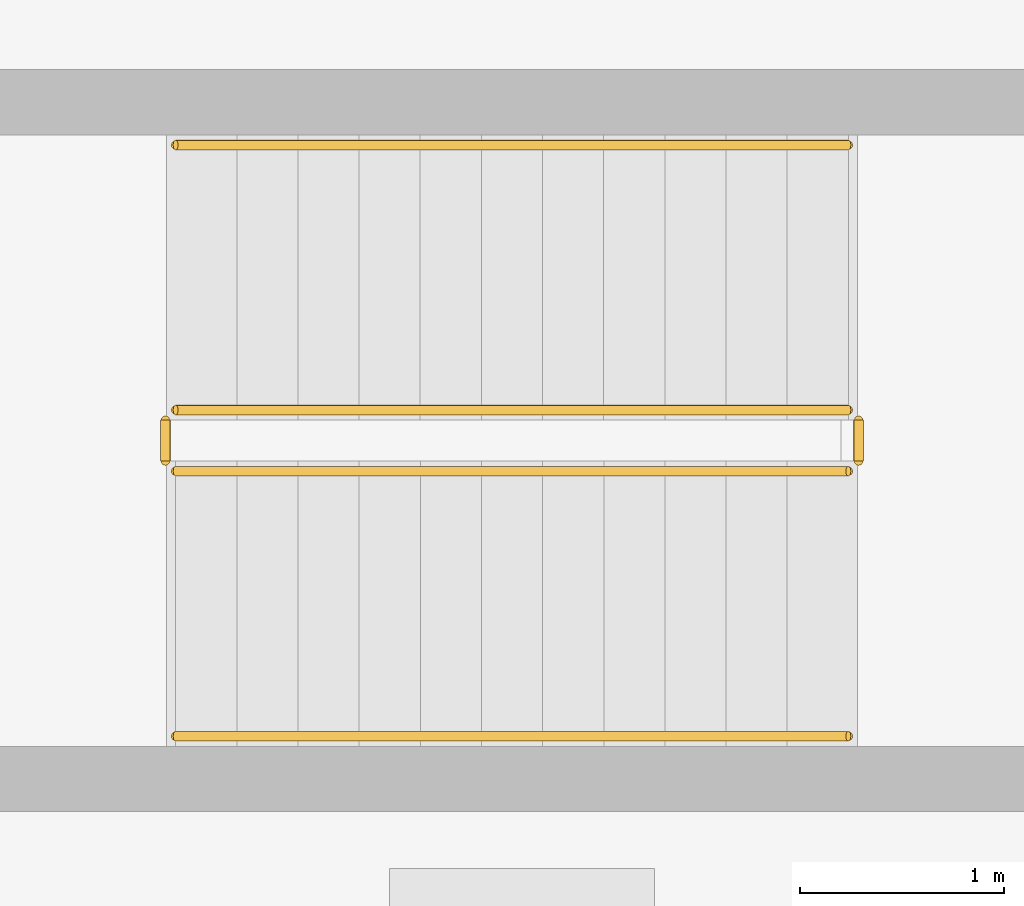
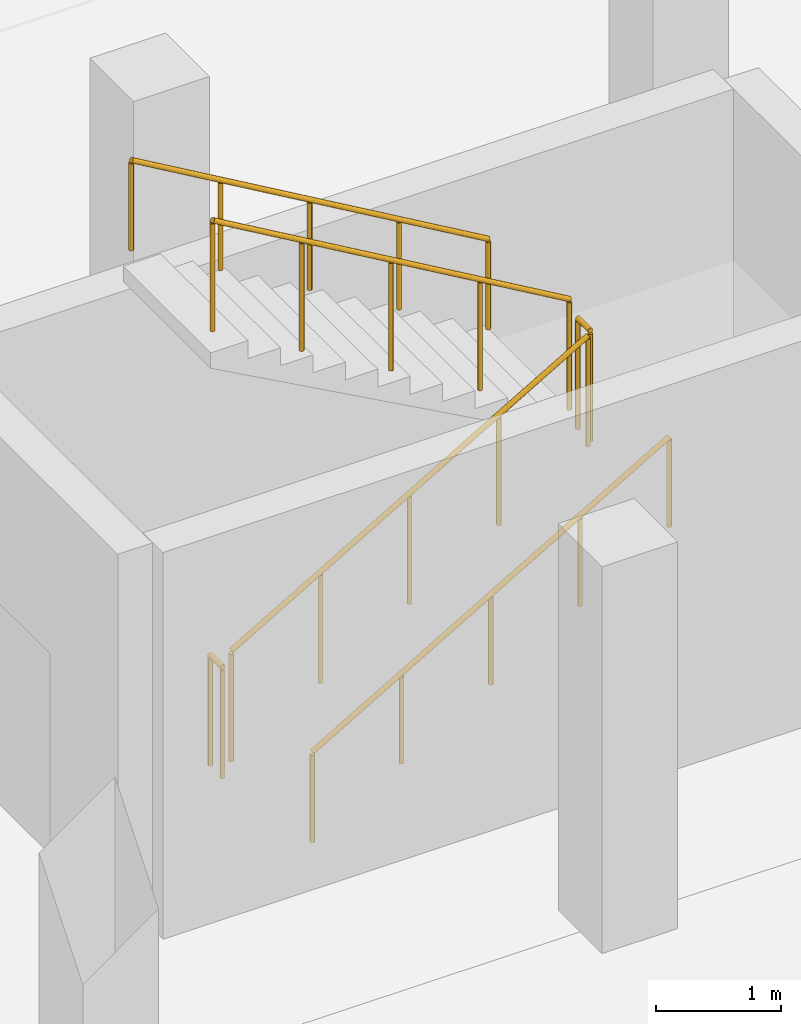
# One storey, part 13 of 17: 6 railings.
"""IFC4 building model written with IfcOpenShell, lengths in metres."""

import ifcopenshell
import ifcopenshell.guid

model = None  # the IFC model being written
_history = None  # IfcOwnerHistory: only IFC2X3 demands one
_inside = {}  # id of a spatial element -> (the spatial element, [elements in it])
_under = {}  # id of a project, library or spatial element -> (it, [spatial elements below it])
_declared = {}  # id of a project -> (the project, [libraries it declares])
_typed = {}  # id of a type object -> (the type object, [elements of that type])
_made_of = {}  # id of a material, layer set ... -> (it, [elements and type objects made of it])


def new_model(schema):
    """Start an empty IFC model of exactly this schema.

    Asked for "IFC4X3", IfcOpenShell would pick the latest addendum, in which some entities
    have other attributes; the version numbers below select the first issue.
    IFC2X3 requires an IfcOwnerHistory on every rooted entity: one is made here for all.
    """
    global model, _history
    if schema == "IFC4X3":
        model = ifcopenshell.file(schema_version=(4, 3, 0, 0))
    else:
        model = ifcopenshell.file(schema=schema)
    _inside.clear()
    _under.clear()
    _declared.clear()
    _typed.clear()
    _made_of.clear()
    _history = None
    if model.schema == "IFC2X3":
        org = make("IfcOrganization", Name="unknown")
        user = make(
            "IfcPersonAndOrganization",
            ThePerson=make("IfcPerson", FamilyName="unknown"),
            TheOrganization=org,
        )
        app = make(
            "IfcApplication",
            ApplicationDeveloper=org,
            Version="unknown",
            ApplicationFullName="unknown",
            ApplicationIdentifier="unknown",
        )
        _history = make(
            "IfcOwnerHistory",
            OwningUser=user,
            OwningApplication=app,
            ChangeAction="ADDED",
            CreationDate=0,
        )
    return model


def make(cls, **values):
    """One entity of the class cls with the attributes given. An attribute that is None is left unset."""
    return model.create_entity(
        cls, **{name: value for name, value in values.items() if value is not None}
    )


def rooted(cls, **values):
    """An entity with a GlobalId (a new one), such as an element, a storey or a relation."""
    return make(cls, GlobalId=ifcopenshell.guid.new(), OwnerHistory=_history, **values)


def si_unit(unit_type, name, prefix=None):
    """IfcSIUnit, for example si_unit("LENGTHUNIT", "METRE", prefix="MILLI")."""
    return make("IfcSIUnit", UnitType=unit_type, Prefix=prefix, Name=name)


def assignment(units):
    """IfcUnitAssignment: the units of a project."""
    return None if units is None else make("IfcUnitAssignment", Units=units)


def point(xyz):
    """IfcCartesianPoint."""
    return None if xyz is None else make("IfcCartesianPoint", Coordinates=xyz)


def direction(xyz):
    """IfcDirection."""
    return None if xyz is None else make("IfcDirection", DirectionRatios=xyz)


def frame(location, z_axis=None, x_axis=None):
    """IfcAxis2Placement3D, a coordinate frame: its origin and axes. An axis left out is left unset."""
    return make(
        "IfcAxis2Placement3D",
        Location=point(location),
        Axis=direction(z_axis),
        RefDirection=direction(x_axis),
    )


def frame_2d(location, x_axis=None):
    """IfcAxis2Placement2D, a coordinate frame in the plane: its origin and x axis."""
    return make(
        "IfcAxis2Placement2D", Location=point(location), RefDirection=direction(x_axis)
    )


def origin():
    """The frame at (0, 0, 0) with its axes left unset."""
    return frame((0.0, 0.0, 0.0))


def origin_2d():
    """The frame at (0, 0) in the plane with its x axis left unset."""
    return frame_2d((0.0, 0.0))


def place(relative_to, where):
    """IfcLocalPlacement: puts the frame where relative to a parent placement (None: the world)."""
    return make(
        "IfcLocalPlacement", PlacementRelTo=relative_to, RelativePlacement=where
    )


def context(
    kind, dimensions, precision=None, world=None, true_north=None, identifier=None
):
    """IfcGeometricRepresentationContext, for example the 3D "Model" context."""
    return make(
        "IfcGeometricRepresentationContext",
        ContextIdentifier=identifier,
        ContextType=kind,
        CoordinateSpaceDimension=dimensions,
        Precision=precision,
        WorldCoordinateSystem=world,
        TrueNorth=true_north,
    )


def subcontext(parent, identifier, kind, view, scale=None):
    """IfcGeometricRepresentationSubContext, for example "Body" below "Model"."""
    return make(
        "IfcGeometricRepresentationSubContext",
        ContextIdentifier=identifier,
        ContextType=kind,
        ParentContext=parent,
        TargetScale=scale,
        TargetView=view,
    )


def project(units=None, contexts=None):
    """IfcProject with its units and contexts."""
    return rooted(
        "IfcProject",
        Name="project",
        RepresentationContexts=contexts,
        UnitsInContext=assignment(units),
    )


def spatial(cls, under=None, at=None, **own):
    """A site, building, storey or space (cls), placed at a placement, below another one or the project."""
    s = rooted(cls, ObjectPlacement=at, **own)
    if under is not None:
        _under.setdefault(under.id(), (under, []))[1].append(s)
    return s


def profile(cls, at=None, kind="AREA", **sizes):
    """A parametric profile (cls). Its sizes go by their IFC names, for example OverallWidth=200.0."""
    return make(cls, ProfileType=kind, Position=at, **sizes)


def circle(**sizes):
    """IfcCircleProfileDef."""
    return profile("IfcCircleProfileDef", **sizes)


def extrude(swept, where, along, depth):
    """IfcExtrudedAreaSolid: the profile swept, set in the frame where, extruded along a direction by depth."""
    return make(
        "IfcExtrudedAreaSolid",
        SweptArea=swept,
        Position=where,
        ExtrudedDirection=direction(along),
        Depth=depth,
    )


def shape(context_of_items, identifier, shape_type, items):
    """IfcShapeRepresentation: the items that make up one representation, for example the "Body"."""
    return make(
        "IfcShapeRepresentation",
        ContextOfItems=context_of_items,
        RepresentationIdentifier=identifier,
        RepresentationType=shape_type,
        Items=items,
    )


def material(Name=None, Category=None):
    """IfcMaterial."""
    return make("IfcMaterial", Name=Name, Category=Category)


def made_of(thing, what):
    """Note that an element or type object is made of a material, layer set ...; save() writes the relation."""
    if what is not None:
        _made_of.setdefault(what.id(), (what, []))[1].append(thing)
    return thing


def type_object(cls, material=None, **own):
    """A type object (cls), such as IfcWallType, which elements share."""
    return made_of(rooted(cls, **own), material)


def element(
    cls,
    number,
    at=None,
    inside=None,
    cuts=None,
    type_object=None,
    material=None,
    context=None,
    identifier="Body",
    shape_type=None,
    held_by="IfcProductDefinitionShape",
    body=None,
    shapes=None,
    **own,
):
    """One element of the class cls, such as IfcWall. Its Tag is "e" and its number.

    at: its placement. inside: the storey or other place that contains it. cuts: it is an
    opening in that element (IfcRelVoidsElement). A single representation is given by context,
    identifier, shape_type and body (its items); several are given by shapes. held_by: the class
    of the entity that holds the representations. save() writes the other relations.
    """
    e = rooted(cls, Tag="e%d" % number, ObjectPlacement=at, **own)
    if body is not None:
        shapes = [shape(context, identifier, shape_type, body)]
    if shapes is not None:
        e.Representation = make(held_by, Representations=shapes)
    if inside is not None:
        _inside.setdefault(inside.id(), (inside, []))[1].append(e)
    if cuts is not None:
        rooted(
            "IfcRelVoidsElement", RelatingBuildingElement=cuts, RelatedOpeningElement=e
        )
    if type_object is not None:
        _typed.setdefault(type_object.id(), (type_object, []))[1].append(e)
    return made_of(e, material)


def aggregate(whole, parts):
    """IfcRelAggregates: a whole, such as a stair, and the parts it consists of."""
    return rooted("IfcRelAggregates", RelatingObject=whole, RelatedObjects=parts)


def save(model, path):
    """Write the relations noted so far, then the file.

    IfcRelAggregates (storeys below a building ...), IfcRelContainedInSpatialStructure (elements
    in a storey), IfcRelDefinesByType, IfcRelAssociatesMaterial and IfcRelDeclares: one each for
    every whole, place, type object, material and project.
    """
    for whole, parts in _under.values():
        aggregate(whole, parts)
    for where, things in _inside.values():
        rooted(
            "IfcRelContainedInSpatialStructure",
            RelatedElements=things,
            RelatingStructure=where,
        )
    for kind, things in _typed.values():
        rooted("IfcRelDefinesByType", RelatedObjects=things, RelatingType=kind)
    for what, things in _made_of.values():
        rooted("IfcRelAssociatesMaterial", RelatedObjects=things, RelatingMaterial=what)
    for by, libraries in _declared.values():
        rooted("IfcRelDeclares", RelatingContext=by, RelatedDefinitions=libraries)
    model.write(path)


model = new_model("IFC4")

# Units and contexts
model_context = context("Model", 3, precision=1e-05, world=origin(), true_north=direction((0.0, 1.0)))
body_context = subcontext(model_context, "Body", "Model", "MODEL_VIEW")
ifc_project = project(units=[si_unit("LENGTHUNIT", "METRE"), si_unit("AREAUNIT", "SQUARE_METRE"), si_unit("VOLUMEUNIT", "CUBIC_METRE"), si_unit("PLANEANGLEUNIT", "RADIAN"), si_unit("MASSUNIT", "GRAM", prefix="KILO")], contexts=[model_context])

# Site, building, storey
site_placement = place(None, origin())
site = spatial("IfcSite", under=ifc_project, at=site_placement, CompositionType="ELEMENT")
building_placement = place(site_placement, origin())
building = spatial("IfcBuilding", under=site, at=building_placement, Name="Mawjan Specialist Oncology Clinic", CompositionType="ELEMENT")
storey_placement = place(building_placement, frame((0.0, 0.0, -4.199951171875)))
storey = spatial("IfcBuildingStorey", under=building, at=storey_placement, Name="B01", CompositionType="ELEMENT", Elevation=-4.199951171875)

# Railings
ifc_material_1 = material(Name="Powder-coated steel stair guard with vertical infill pickets", Category="steel")
railing_type_1 = type_object("IfcRailingType", Name="GR-110", PredefinedType="GUARDRAIL", material=ifc_material_1)
railing_1_placement = place(storey_placement, frame((87.10009765625, 86.550048828125, 0.175048828125)))
element("IfcRailing", 1, at=railing_1_placement, inside=storey, type_object=railing_type_1, Name="B01 ST-04 stair guard 1", PredefinedType="GUARDRAIL", context=body_context, shape_type="SweptSolid", body=[
    extrude(circle(Radius=0.02392578125, at=origin_2d()), frame((0.0, 0.0, 1.076171875), z_axis=(0.863788172461, 0.0, 0.503855131081), x_axis=(0.0, 1.0, 0.0)), (0.0, 0.0, 1.0), 3.820068359375),
    extrude(circle(Radius=0.02099609375, at=origin_2d()), origin(), (0.0, 0.0, 1.0), 1.052001953125),
    extrude(circle(Radius=0.02099609375, at=origin_2d()), frame((0.824951171875, 0.0, 0.481201171875)), (0.0, 0.0, 1.0), 1.052001953125),
    extrude(circle(Radius=0.02099609375, at=origin_2d()), frame((1.64990234375, 0.0, 0.96240234375)), (0.0, 0.0, 1.0), 1.052001953125),
    extrude(circle(Radius=0.02099609375, at=origin_2d()), frame((2.474853515625, 0.0, 1.443603515625)), (0.0, 0.0, 1.0), 1.052001953125),
    extrude(circle(Radius=0.02099609375, at=origin_2d()), frame((3.2998046875, 0.0, 1.9248046875)), (0.0, 0.0, 1.0), 1.052001953125),
])
railing_2_placement = place(storey_placement, frame((90.449951171875, 86.60009765625, 2.099853515625)))
element("IfcRailing", 2, at=railing_2_placement, inside=storey, type_object=railing_type_1, Name="B01 ST-04 stair guard 2", PredefinedType="GUARDRAIL", context=body_context, shape_type="SweptSolid", body=[
    extrude(circle(Radius=0.02392578125, at=origin_2d()), frame((0.0, 0.0, 1.076171875), z_axis=(0.0, 1.0, 0.0), x_axis=(-1.0, 0.0, 0.0)), (0.0, 0.0, 1.0), 0.199951171875),
    extrude(circle(Radius=0.02099609375, at=origin_2d()), origin(), (0.0, 0.0, 1.0), 1.052001953125),
    extrude(circle(Radius=0.02099609375, at=origin_2d()), frame((0.0, 0.199951171875, 0.0)), (0.0, 0.0, 1.0), 1.052001953125),
])
railing_3_placement = place(storey_placement, frame((90.39990234375, 86.85009765625, 2.27490234375)))
element("IfcRailing", 3, at=railing_3_placement, inside=storey, type_object=railing_type_1, Name="B01 ST-04 stair guard 3", PredefinedType="GUARDRAIL", context=body_context, shape_type="SweptSolid", body=[
    extrude(circle(Radius=0.02392578125, at=origin_2d()), frame((0.0, 0.0, 1.076171875), z_axis=(-0.863760357493, 0.0, 0.503902812876), x_axis=(0.0, -1.0, 0.0)), (0.0, 0.0, 1.0), 3.8203125),
    extrude(circle(Radius=0.02099609375, at=origin_2d()), origin(), (0.0, 0.0, 1.0), 1.052001953125),
    extrude(circle(Radius=0.02099609375, at=origin_2d()), frame((-0.824951171875, 0.0, 0.481201171875)), (0.0, 0.0, 1.0), 1.052001953125),
    extrude(circle(Radius=0.02099609375, at=origin_2d()), frame((-1.64990234375, 0.0, 0.96240234375)), (0.0, 0.0, 1.0), 1.052001953125),
    extrude(circle(Radius=0.02099609375, at=origin_2d()), frame((-2.474853515625, 0.0, 1.44384765625)), (0.0, 0.0, 1.0), 1.052001953125),
    extrude(circle(Radius=0.02099609375, at=origin_2d()), frame((-3.2998046875, 0.0, 1.925048828125)), (0.0, 0.0, 1.0), 1.052001953125),
])
railing_4_placement = place(storey_placement, frame((87.050048828125, 86.60009765625, 0.0)))
element("IfcRailing", 4, at=railing_4_placement, inside=storey, type_object=railing_type_1, Name="B01 ST-04 stair guard 4", PredefinedType="GUARDRAIL", context=body_context, shape_type="SweptSolid", body=[
    extrude(circle(Radius=0.02392578125, at=origin_2d()), frame((0.0, 0.0, 1.076171875), z_axis=(0.0, 1.0, 0.0), x_axis=(-1.0, 0.0, 0.0)), (0.0, 0.0, 1.0), 0.199951171875),
    extrude(circle(Radius=0.02099609375, at=origin_2d()), origin(), (0.0, 0.0, 1.0), 1.052001953125),
    extrude(circle(Radius=0.02099609375, at=origin_2d()), frame((0.0, 0.199951171875, 0.0)), (0.0, 0.0, 1.0), 1.052001953125),
])
ifc_material_2 = material(Name="Brushed stainless-steel tubular handrail", Category="steel")
railing_type_2 = type_object("IfcRailingType", Name="HR-090", PredefinedType="HANDRAIL", material=ifc_material_2)
railing_5_placement = place(storey_placement, frame((87.10009765625, 85.25, 0.175048828125)))
element("IfcRailing", 5, at=railing_5_placement, inside=storey, type_object=railing_type_2, Name="B01 ST-04 stair handrail 1", PredefinedType="HANDRAIL", context=body_context, shape_type="SweptSolid", body=[
    extrude(circle(Radius=0.02392578125, at=origin_2d()), frame((0.0, 0.0, 0.8759765625), z_axis=(0.863788172461, 0.0, 0.503855131081), x_axis=(0.0, 1.0, 0.0)), (0.0, 0.0, 1.0), 3.820068359375),
    extrude(circle(Radius=0.02099609375, at=origin_2d()), origin(), (0.0, 0.0, 1.0), 0.851806640625),
    extrude(circle(Radius=0.02099609375, at=origin_2d()), frame((0.824951171875, 0.0, 0.481201171875)), (0.0, 0.0, 1.0), 0.851806640625),
    extrude(circle(Radius=0.02099609375, at=origin_2d()), frame((1.64990234375, 0.0, 0.96240234375)), (0.0, 0.0, 1.0), 0.851806640625),
    extrude(circle(Radius=0.02099609375, at=origin_2d()), frame((2.474853515625, 0.0, 1.443603515625)), (0.0, 0.0, 1.0), 0.851806640625),
    extrude(circle(Radius=0.02099609375, at=origin_2d()), frame((3.2998046875, 0.0, 1.9248046875)), (0.0, 0.0, 1.0), 0.851806640625),
])
railing_6_placement = place(storey_placement, frame((90.39990234375, 88.14990234375, 2.27490234375)))
element("IfcRailing", 6, at=railing_6_placement, inside=storey, type_object=railing_type_2, Name="B01 ST-04 stair handrail 2", PredefinedType="HANDRAIL", context=body_context, shape_type="SweptSolid", body=[
    extrude(circle(Radius=0.02392578125, at=origin_2d()), frame((0.0, 0.0, 0.8759765625), z_axis=(-0.863760357493, 0.0, 0.503902812876), x_axis=(0.0, -1.0, 0.0)), (0.0, 0.0, 1.0), 3.8203125),
    extrude(circle(Radius=0.02099609375, at=origin_2d()), origin(), (0.0, 0.0, 1.0), 0.851806640625),
    extrude(circle(Radius=0.02099609375, at=origin_2d()), frame((-0.824951171875, 0.0, 0.481201171875)), (0.0, 0.0, 1.0), 0.851806640625),
    extrude(circle(Radius=0.02099609375, at=origin_2d()), frame((-1.64990234375, 0.0, 0.96240234375)), (0.0, 0.0, 1.0), 0.851806640625),
    extrude(circle(Radius=0.02099609375, at=origin_2d()), frame((-2.474853515625, 0.0, 1.44384765625)), (0.0, 0.0, 1.0), 0.851806640625),
    extrude(circle(Radius=0.02099609375, at=origin_2d()), frame((-3.2998046875, 0.0, 1.925048828125)), (0.0, 0.0, 1.0), 0.851806640625),
])

save(model, "model.ifc")
